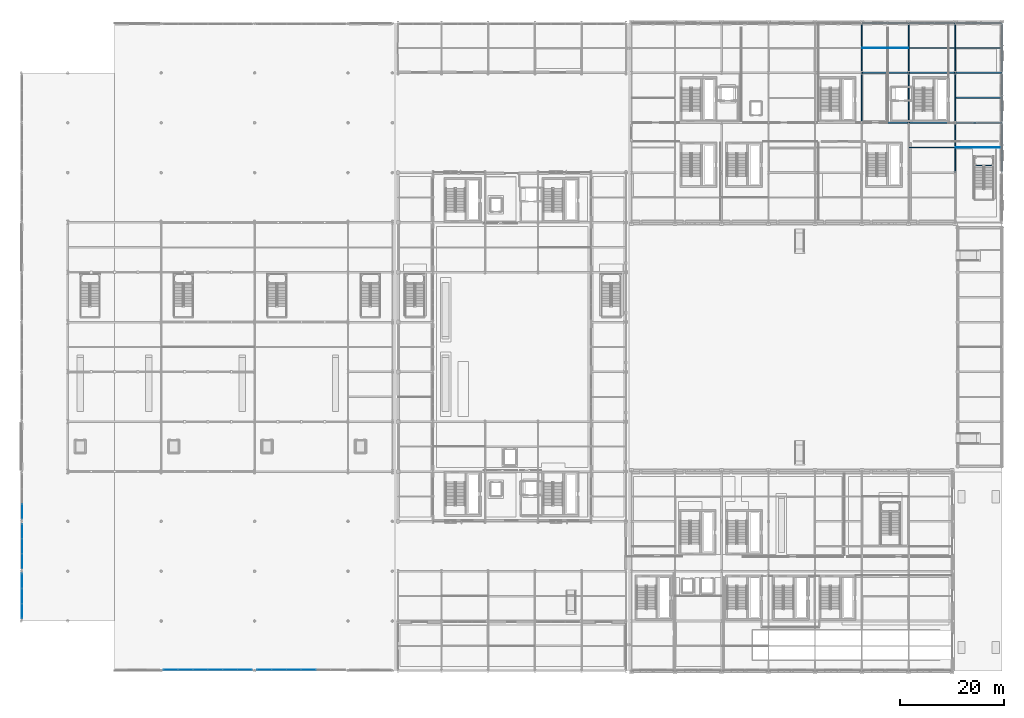
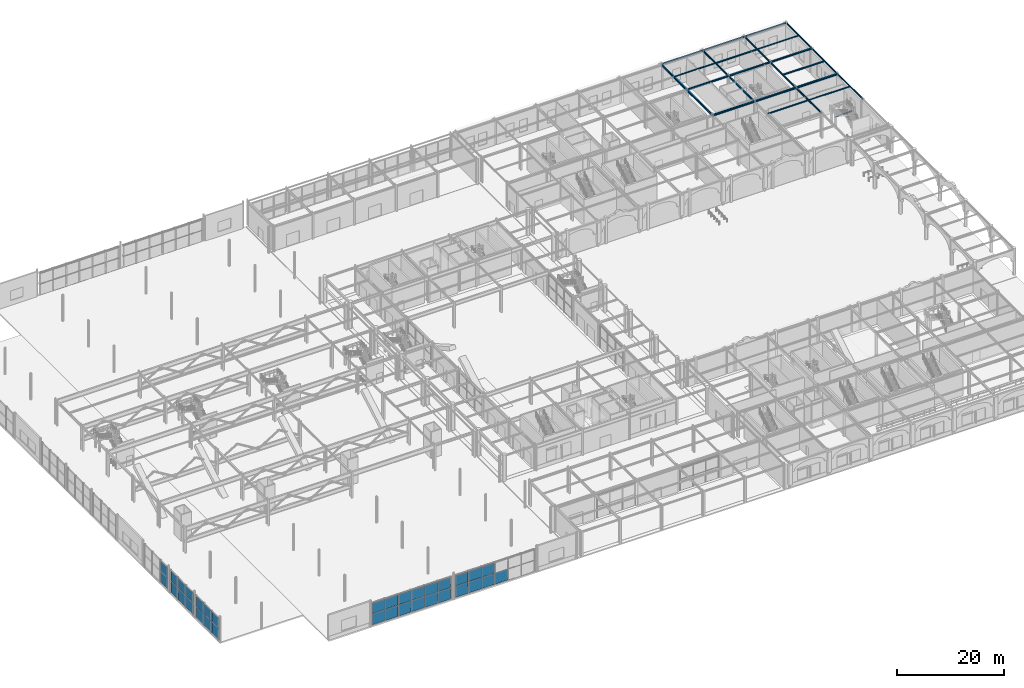
# One storey, part 47 of 113: 33 plates, 26 beams, 7 elements without a shape of their own.
"""IFC4 building model written with IfcOpenShell, lengths in metres."""

from ifc_helpers import new_model, si_unit, direction, frame, origin, origin_2d, place, context, subcontext, project, spatial, rectangle, i_section, extrude, material, layer, layer_set, material_profile, profile_set, type_object, element, aggregate, save


model = new_model("IFC4")

# Units and contexts
model_context = context("Model", 3, precision=1e-05, world=origin(), true_north=direction((0.0, 1.0)))
body_context = subcontext(model_context, "Body", "Model", "MODEL_VIEW")
ifc_project = project(units=[si_unit("LENGTHUNIT", "METRE"), si_unit("AREAUNIT", "SQUARE_METRE"), si_unit("VOLUMEUNIT", "CUBIC_METRE"), si_unit("PLANEANGLEUNIT", "RADIAN"), si_unit("MASSUNIT", "GRAM", prefix="KILO")], contexts=[model_context])

# Site, building, storey
site_placement = place(None, origin())
site = spatial("IfcSite", under=ifc_project, at=site_placement, CompositionType="ELEMENT")
building_placement = place(site_placement, origin())
building = spatial("IfcBuilding", under=site, at=building_placement, Name="Myrtia Square Station", CompositionType="ELEMENT")
storey_placement = place(building_placement, origin())
storey = spatial("IfcBuildingStorey", under=building, at=storey_placement, Name="L00", CompositionType="ELEMENT", Elevation=0.0)

# Beams
ifc_material_1 = material(Name="Steel S355", Category="steel")
ifc_material_profile_1 = material_profile(ifc_material_1, i_section(OverallWidth=0.300048828125, OverallDepth=0.300048828125, WebThickness=0.010986328125, FlangeThickness=0.01904296875, FilletRadius=0.027099609375, at=origin_2d()), Name="HEB 300")
ifc_profile_set_1 = profile_set([ifc_material_profile_1], Name="Steel S355")
beam_type_1 = type_object("IfcBeamType", Name="BM-HEB300", PredefinedType="BEAM", material=ifc_profile_set_1)
for number, where, z_axis, x_axis, name in (
    (1, (162.050048828125, 115.199951171875, 5.60009765625), (1.0, 0.0, 0.0), (0.0, 1.0, 0.0), "Structural girder BMX-L00-0416"),
    (2, (171.050048828125, 115.199951171875, 5.60009765625), (1.0, 0.0, 0.0), (0.0, 1.0, 0.0), "Structural girder BMX-L00-0417"),
    (3, (180.050048828125, 115.199951171875, 5.60009765625), (1.0, 0.0, 0.0), (0.0, 1.0, 0.0), "Structural girder BMX-L00-0418"),
):
    element("IfcBeam", number, at=place(storey_placement, frame(where, z_axis=z_axis, x_axis=x_axis)), inside=storey, type_object=beam_type_1, Name=name, PredefinedType="BEAM", context=body_context, shape_type="SweptSolid", body=[
        extrude(i_section(OverallWidth=0.300048828125, OverallDepth=0.300048828125, WebThickness=0.010986328125, FlangeThickness=0.01904296875, FilletRadius=0.027099609375, at=origin_2d()), origin(), (0.0, 0.0, 1.0), 8.89990234375),
    ])
ifc_material_profile_2 = material_profile(ifc_material_1, i_section(OverallWidth=0.300048828125, OverallDepth=0.360107421875, WebThickness=0.012451171875, FlangeThickness=0.0224609375, FilletRadius=0.027099609375, at=origin_2d()), Name="HEB 360")
ifc_profile_set_2 = profile_set([ifc_material_profile_2], Name="Steel S355")
beam_type_2 = type_object("IfcBeamType", Name="BM-HEB360", PredefinedType="BEAM", material=ifc_profile_set_2)
for number, where, z_axis, x_axis, name in (
    (4, (162.050048828125, 105.60009765625, 5.570068359375), (1.0, 0.0, 0.0), (0.0, 1.0, 0.0), "Structural girder BMX-L00-0403"),
    (5, (171.050048828125, 105.60009765625, 5.570068359375), (1.0, 0.0, 0.0), (0.0, 1.0, 0.0), "Structural girder BMX-L00-0404"),
    (6, (180.050048828125, 105.60009765625, 5.570068359375), (1.0, 0.0, 0.0), (0.0, 1.0, 0.0), "Structural girder BMX-L00-0405"),
):
    element("IfcBeam", number, at=place(storey_placement, frame(where, z_axis=z_axis, x_axis=x_axis)), inside=storey, type_object=beam_type_2, Name=name, PredefinedType="BEAM", context=body_context, shape_type="SweptSolid", body=[
        extrude(i_section(OverallWidth=0.300048828125, OverallDepth=0.360107421875, WebThickness=0.012451171875, FlangeThickness=0.0224609375, FilletRadius=0.027099609375, at=origin_2d()), origin(), (0.0, 0.0, 1.0), 8.89990234375),
    ])
ifc_material_profile_3 = material_profile(ifc_material_1, i_section(OverallWidth=0.135009765625, OverallDepth=0.27001953125, WebThickness=0.006591796875, FlangeThickness=0.01025390625, FilletRadius=0.014892578125, at=origin_2d()), Name="IPE 270")
ifc_profile_set_3 = profile_set([ifc_material_profile_3], Name="Steel S355")
beam_type_3 = type_object("IfcBeamType", Name="BM-IPE270", PredefinedType="BEAM", material=ifc_profile_set_3)
beam_1_placement = place(storey_placement, frame((183.639892578125, 97.340087890625, 2.6650390625), z_axis=(1.0, 0.0, 0.0), x_axis=(0.0, 1.0, 0.0)))
element("IfcBeam", 7, at=beam_1_placement, inside=storey, type_object=beam_type_3, Name="Interchange stair landing bearer 8", PredefinedType="BEAM", context=body_context, shape_type="SweptSolid", body=[
    extrude(i_section(OverallWidth=0.135009765625, OverallDepth=0.27001953125, WebThickness=0.006591796875, FlangeThickness=0.01025390625, FilletRadius=0.014892578125, at=origin_2d()), origin(), (0.0, 0.0, 1.0), 3.760009765625),
])
ifc_material_profile_4 = material_profile(ifc_material_1, i_section(OverallWidth=0.159912109375, OverallDepth=0.330078125, WebThickness=0.007568359375, FlangeThickness=0.011474609375, FilletRadius=0.01806640625, at=origin_2d()), Name="IPE 330")
ifc_profile_set_4 = profile_set([ifc_material_profile_4], Name="Steel S355")
beam_type_4 = type_object("IfcBeamType", Name="BM-IPE330", PredefinedType="BEAM", material=ifc_profile_set_4)
for number, where, z_axis, x_axis, name in (
    (8, (189.0, 96.050048828125, 5.5849609375), (0.0, 1.0, 0.0), (-1.0, 0.0, 0.0), "Structural girder BMY-L00-0457"),
    (9, (189.0, 105.64990234375, 5.5849609375), (0.0, 1.0, 0.0), (-1.0, 0.0, 0.0), "Structural girder BMY-L00-0458"),
    (10, (189.0, 115.25, 5.5849609375), (0.0, 1.0, 0.0), (-1.0, 0.0, 0.0), "Structural girder BMY-L00-0459"),
):
    element("IfcBeam", number, at=place(storey_placement, frame(where, z_axis=z_axis, x_axis=x_axis)), inside=storey, type_object=beam_type_4, Name=name, PredefinedType="BEAM", context=body_context, shape_type="SweptSolid", body=[
        extrude(i_section(OverallWidth=0.159912109375, OverallDepth=0.330078125, WebThickness=0.007568359375, FlangeThickness=0.011474609375, FilletRadius=0.01806640625, at=origin_2d()), origin(), (0.0, 0.0, 1.0), 9.5),
    ])
ifc_material_profile_5 = material_profile(ifc_material_1, i_section(OverallWidth=0.169921875, OverallDepth=0.360107421875, WebThickness=0.008056640625, FlangeThickness=0.0126953125, FilletRadius=0.01806640625, at=origin_2d()), Name="IPE 360")
ifc_profile_set_5 = profile_set([ifc_material_profile_5], Name="Steel S355")
beam_type_5 = type_object("IfcBeamType", Name="BM-IPE360", PredefinedType="BEAM", material=ifc_profile_set_5)
for number, where, z_axis, x_axis, name in (
    (11, (180.0, 96.050048828125, 5.570068359375), (0.0, 1.0, 0.0), (-1.0, 0.0, 0.0), "Structural girder BMY-L00-0453"),
    (12, (180.0, 105.64990234375, 5.570068359375), (0.0, 1.0, 0.0), (-1.0, 0.0, 0.0), "Structural girder BMY-L00-0454"),
    (13, (180.0, 115.25, 5.570068359375), (0.0, 1.0, 0.0), (-1.0, 0.0, 0.0), "Structural girder BMY-L00-0455"),
):
    element("IfcBeam", number, at=place(storey_placement, frame(where, z_axis=z_axis, x_axis=x_axis)), inside=storey, type_object=beam_type_5, Name=name, PredefinedType="BEAM", context=body_context, shape_type="SweptSolid", body=[
        extrude(i_section(OverallWidth=0.169921875, OverallDepth=0.360107421875, WebThickness=0.008056640625, FlangeThickness=0.0126953125, FilletRadius=0.01806640625, at=origin_2d()), origin(), (0.0, 0.0, 1.0), 9.5),
    ])
ifc_material_profile_6 = material_profile(ifc_material_1, i_section(OverallWidth=0.179931640625, OverallDepth=0.39990234375, WebThickness=0.008544921875, FlangeThickness=0.013427734375, FilletRadius=0.02099609375, at=origin_2d()), Name="IPE 400")
ifc_profile_set_6 = profile_set([ifc_material_profile_6], Name="Steel S355")
beam_type_6 = type_object("IfcBeamType", Name="BM-IPE400", PredefinedType="BEAM", material=ifc_profile_set_6)
for number, where, z_axis, x_axis, name in (
    (14, (171.0, 105.64990234375, 5.550048828125), (0.0, 1.0, 0.0), (-1.0, 0.0, 0.0), "Structural girder BMY-L00-0450"),
    (15, (171.0, 115.25, 5.550048828125), (0.0, 1.0, 0.0), (-1.0, 0.0, 0.0), "Structural girder BMY-L00-0451"),
):
    element("IfcBeam", number, at=place(storey_placement, frame(where, z_axis=z_axis, x_axis=x_axis)), inside=storey, type_object=beam_type_6, Name=name, PredefinedType="BEAM", context=body_context, shape_type="SweptSolid", body=[
        extrude(i_section(OverallWidth=0.179931640625, OverallDepth=0.39990234375, WebThickness=0.008544921875, FlangeThickness=0.013427734375, FilletRadius=0.02099609375, at=origin_2d()), origin(), (0.0, 0.0, 1.0), 9.5),
    ])
ifc_material_profile_7 = material_profile(ifc_material_1, i_section(OverallWidth=0.18994140625, OverallDepth=0.449951171875, WebThickness=0.009521484375, FlangeThickness=0.0146484375, FilletRadius=0.02099609375, at=origin_2d()), Name="IPE 450")
ifc_profile_set_7 = profile_set([ifc_material_profile_7], Name="Steel S355")
beam_type_7 = type_object("IfcBeamType", Name="BM-IPE450", PredefinedType="BEAM", material=ifc_profile_set_7)
for number, where, z_axis, x_axis, name in (
    (16, (162.0, 105.64990234375, 5.52490234375), (0.0, 1.0, 0.0), (-1.0, 0.0, 0.0), "Structural girder BMY-L00-0446"),
    (17, (162.0, 115.25, 5.52490234375), (0.0, 1.0, 0.0), (-1.0, 0.0, 0.0), "Structural girder BMY-L00-0447"),
):
    element("IfcBeam", number, at=place(storey_placement, frame(where, z_axis=z_axis, x_axis=x_axis)), inside=storey, type_object=beam_type_7, Name=name, PredefinedType="BEAM", context=body_context, shape_type="SweptSolid", body=[
        extrude(i_section(OverallWidth=0.18994140625, OverallDepth=0.449951171875, WebThickness=0.009521484375, FlangeThickness=0.0146484375, FilletRadius=0.02099609375, at=origin_2d()), origin(), (0.0, 0.0, 1.0), 9.5),
    ])
ifc_material_profile_8 = material_profile(ifc_material_1, i_section(OverallWidth=0.219970703125, OverallDepth=0.2099609375, WebThickness=0.007080078125, FlangeThickness=0.010986328125, FilletRadius=0.01806640625, at=origin_2d()), Name="HEA 220")
ifc_profile_set_8 = profile_set([ifc_material_profile_8], Name="Steel S355")
beam_type_8 = type_object("IfcBeamType", Name="JST-HEA220", PredefinedType="JOIST", material=ifc_profile_set_8)
beam_2_placement = place(storey_placement, frame((180.0849609375, 120.0, 5.64501953125), z_axis=(1.0, 0.0, 0.0), x_axis=(0.0, 1.0, 0.0)))
element("IfcBeam", 18, at=beam_2_placement, inside=storey, type_object=beam_type_8, Name="Composite floor joist L00-0091", PredefinedType="JOIST", context=body_context, shape_type="SweptSolid", body=[
    extrude(i_section(OverallWidth=0.219970703125, OverallDepth=0.2099609375, WebThickness=0.007080078125, FlangeThickness=0.010986328125, FilletRadius=0.01806640625, at=origin_2d()), origin(), (0.0, 0.0, 1.0), 8.8349609375),
])
ifc_material_profile_9 = material_profile(ifc_material_1, i_section(OverallWidth=0.260009765625, OverallDepth=0.25, WebThickness=0.007568359375, FlangeThickness=0.012451171875, FilletRadius=0.02392578125, at=origin_2d()), Name="HEA 260")
ifc_profile_set_9 = profile_set([ifc_material_profile_9], Name="Steel S355")
beam_type_9 = type_object("IfcBeamType", Name="JST-HEA260", PredefinedType="JOIST", material=ifc_profile_set_9)
beam_3_placement = place(storey_placement, frame((171.090087890625, 120.0, 5.625), z_axis=(1.0, 0.0, 0.0), x_axis=(0.0, 1.0, 0.0)))
element("IfcBeam", 19, at=beam_3_placement, inside=storey, type_object=beam_type_9, Name="Composite floor joist L00-0088", PredefinedType="JOIST", context=body_context, shape_type="SweptSolid", body=[
    extrude(i_section(OverallWidth=0.260009765625, OverallDepth=0.25, WebThickness=0.007568359375, FlangeThickness=0.012451171875, FilletRadius=0.02392578125, at=origin_2d()), origin(), (0.0, 0.0, 1.0), 8.824951171875),
])
beam_4_placement = place(storey_placement, frame((180.0849609375, 110.39990234375, 5.625), z_axis=(1.0, 0.0, 0.0), x_axis=(0.0, 1.0, 0.0)))
element("IfcBeam", 20, at=beam_4_placement, inside=storey, type_object=beam_type_9, Name="Composite floor joist L00-0090", PredefinedType="JOIST", context=body_context, shape_type="SweptSolid", body=[
    extrude(i_section(OverallWidth=0.260009765625, OverallDepth=0.25, WebThickness=0.007568359375, FlangeThickness=0.012451171875, FilletRadius=0.02392578125, at=origin_2d()), origin(), (0.0, 0.0, 1.0), 8.8349609375),
])
ifc_material_profile_10 = material_profile(ifc_material_1, i_section(OverallWidth=0.091064453125, OverallDepth=0.179931640625, WebThickness=0.00537109375, FlangeThickness=0.008056640625, FilletRadius=0.009033203125, at=origin_2d()), Name="IPE 180")
ifc_profile_set_10 = profile_set([ifc_material_profile_10], Name="Steel S355")
beam_type_10 = type_object("IfcBeamType", Name="JST-IPE180", PredefinedType="JOIST", material=ifc_profile_set_10)
beam_5_placement = place(storey_placement, frame((162.094970703125, 120.0, 5.659912109375), z_axis=(1.0, 0.0, 0.0), x_axis=(0.0, 1.0, 0.0)))
element("IfcBeam", 21, at=beam_5_placement, inside=storey, type_object=beam_type_10, Name="Composite floor joist L00-0085", PredefinedType="JOIST", context=body_context, shape_type="SweptSolid", body=[
    extrude(i_section(OverallWidth=0.091064453125, OverallDepth=0.179931640625, WebThickness=0.00537109375, FlangeThickness=0.008056640625, FilletRadius=0.009033203125, at=origin_2d()), origin(), (0.0, 0.0, 1.0), 8.81494140625),
])
beam_6_placement = place(storey_placement, frame((180.0849609375, 100.800048828125, 5.659912109375), z_axis=(1.0, 0.0, 0.0), x_axis=(0.0, 1.0, 0.0)))
element("IfcBeam", 22, at=beam_6_placement, inside=storey, type_object=beam_type_10, Name="Composite floor joist L00-0089", PredefinedType="JOIST", context=body_context, shape_type="SweptSolid", body=[
    extrude(i_section(OverallWidth=0.091064453125, OverallDepth=0.179931640625, WebThickness=0.00537109375, FlangeThickness=0.008056640625, FilletRadius=0.009033203125, at=origin_2d()), origin(), (0.0, 0.0, 1.0), 8.8349609375),
])
ifc_material_profile_11 = material_profile(ifc_material_1, i_section(OverallWidth=0.10009765625, OverallDepth=0.199951171875, WebThickness=0.005615234375, FlangeThickness=0.008544921875, FilletRadius=0.011962890625, at=origin_2d()), Name="IPE 200")
ifc_profile_set_11 = profile_set([ifc_material_profile_11], Name="Steel S355")
beam_type_11 = type_object("IfcBeamType", Name="JST-IPE200", PredefinedType="JOIST", material=ifc_profile_set_11)
beam_7_placement = place(storey_placement, frame((171.090087890625, 100.800048828125, 5.64990234375), z_axis=(1.0, 0.0, 0.0), x_axis=(0.0, 1.0, 0.0)))
element("IfcBeam", 23, at=beam_7_placement, inside=storey, type_object=beam_type_11, Name="Composite floor joist L00-0087", PredefinedType="JOIST", context=body_context, shape_type="SweptSolid", body=[
    extrude(i_section(OverallWidth=0.10009765625, OverallDepth=0.199951171875, WebThickness=0.005615234375, FlangeThickness=0.008544921875, FilletRadius=0.011962890625, at=origin_2d()), origin(), (0.0, 0.0, 1.0), 8.824951171875),
])
ifc_material_profile_12 = material_profile(ifc_material_1, i_section(OverallWidth=0.239990234375, OverallDepth=0.239990234375, WebThickness=0.010009765625, FlangeThickness=0.01708984375, FilletRadius=0.02099609375, at=origin_2d()), Name="HEB 240")
ifc_profile_set_12 = profile_set([ifc_material_profile_12], Name="Steel S355")
beam_type_12 = type_object("IfcBeamType", Name="SPN-HEB240", PredefinedType="SPANDREL", material=ifc_profile_set_12)
for number, where, z_axis, x_axis, name in (
    (24, (162.050048828125, 124.800048828125, 5.6298828125), (1.0, 0.0, 0.0), (0.0, 1.0, 0.0), "Structural girder SPN-L00-0135"),
    (25, (171.050048828125, 124.800048828125, 5.6298828125), (1.0, 0.0, 0.0), (0.0, 1.0, 0.0), "Structural girder SPN-L00-0136"),
    (26, (180.050048828125, 124.800048828125, 5.6298828125), (1.0, 0.0, 0.0), (0.0, 1.0, 0.0), "Structural girder SPN-L00-0137"),
):
    element("IfcBeam", number, at=place(storey_placement, frame(where, z_axis=z_axis, x_axis=x_axis)), inside=storey, type_object=beam_type_12, Name=name, PredefinedType="SPANDREL", context=body_context, shape_type="SweptSolid", body=[
        extrude(i_section(OverallWidth=0.239990234375, OverallDepth=0.239990234375, WebThickness=0.010009765625, FlangeThickness=0.01708984375, FilletRadius=0.02099609375, at=origin_2d()), origin(), (0.0, 0.0, 1.0), 8.89990234375),
    ])

# Curtain wall, plates
ifc_material_2 = material(Name="Dark bronze anodised aluminium", Category="aluminium")
ifc_layer_1 = layer(ifc_material_2, 0.159912109375, Name="Dark bronze anodised aluminium")
ifc_layer_set_1 = layer_set([ifc_layer_1], Name="Dark bronze anodised aluminium")
curtain_wall_type_1 = type_object("IfcCurtainWallType", Name="CW-TYPE-22-870x510", PredefinedType="USERDEFINED", material=ifc_layer_set_1)
curtain_wall_1_placement = place(storey_placement, origin())
curtain_wall_1 = element("IfcCurtainWall", 27, at=curtain_wall_1_placement, inside=storey, type_object=curtain_wall_type_1, Name="Concourse curtain wall CW-L00-074", ObjectType="CONCOURSE CURTAIN WALL", PredefinedType="USERDEFINED")
ifc_material_3 = material(Name="Tinted low-E solar control glass", Category="glass")
ifc_layer_2 = layer(ifc_material_3, 0.02392578125, Name="Tinted low-E solar control glass")
ifc_layer_set_2 = layer_set([ifc_layer_2], Name="Tinted low-E solar control glass")
plate_type_1 = type_object("IfcPlateType", Name="CWP-GLZ-24", PredefinedType="CURTAIN_PANEL", material=ifc_layer_set_2)
plate_1_placement = place(storey_placement, frame((0.199951171875, 21.11865234375, 0.074951171875), z_axis=(0.0, 0.0, 1.0), x_axis=(0.0, 1.0, 0.0)))
plate_1 = element("IfcPlate", 28, at=plate_1_placement, type_object=plate_type_1, Name="CW-074 panel 1.1", PredefinedType="CURTAIN_PANEL", context=body_context, shape_type="SweptSolid", body=[
    extrude(rectangle(XDim=2.78759765625, YDim=0.02392578125, at=origin_2d()), origin(), (0.0, 0.0, 1.0), 2.53955078125),
])
plate_2_placement = place(storey_placement, frame((0.199951171875, 21.11865234375, 2.689453125), z_axis=(0.0, 0.0, 1.0), x_axis=(0.0, 1.0, 0.0)))
plate_2 = element("IfcPlate", 29, at=plate_2_placement, type_object=plate_type_1, Name="CW-074 panel 1.2", PredefinedType="CURTAIN_PANEL", context=body_context, shape_type="SweptSolid", body=[
    extrude(rectangle(XDim=2.78759765625, YDim=0.02392578125, at=origin_2d()), origin(), (0.0, 0.0, 1.0), 2.33544921875),
])
plate_3_placement = place(storey_placement, frame((0.199951171875, 24.0, 0.074951171875), z_axis=(0.0, 0.0, 1.0), x_axis=(0.0, 1.0, 0.0)))
plate_3 = element("IfcPlate", 30, at=plate_3_placement, type_object=plate_type_1, Name="CW-074 panel 2.1", PredefinedType="CURTAIN_PANEL", context=body_context, shape_type="SweptSolid", body=[
    extrude(rectangle(XDim=2.824951171875, YDim=0.02392578125, at=origin_2d()), origin(), (0.0, 0.0, 1.0), 2.53955078125),
])
plate_4_placement = place(storey_placement, frame((0.199951171875, 24.0, 2.689453125), z_axis=(0.0, 0.0, 1.0), x_axis=(0.0, 1.0, 0.0)))
plate_4 = element("IfcPlate", 31, at=plate_4_placement, type_object=plate_type_1, Name="CW-074 panel 2.2", PredefinedType="CURTAIN_PANEL", context=body_context, shape_type="SweptSolid", body=[
    extrude(rectangle(XDim=2.824951171875, YDim=0.02392578125, at=origin_2d()), origin(), (0.0, 0.0, 1.0), 2.33544921875),
])
plate_5_placement = place(storey_placement, frame((0.199951171875, 26.88134765625, 0.074951171875), z_axis=(0.0, 0.0, 1.0), x_axis=(0.0, 1.0, 0.0)))
plate_5 = element("IfcPlate", 32, at=plate_5_placement, type_object=plate_type_1, Name="CW-074 panel 3.1", PredefinedType="CURTAIN_PANEL", context=body_context, shape_type="SweptSolid", body=[
    extrude(rectangle(XDim=2.78759765625, YDim=0.02392578125, at=origin_2d()), origin(), (0.0, 0.0, 1.0), 2.53955078125),
])
plate_6_placement = place(storey_placement, frame((0.199951171875, 26.88134765625, 2.689453125), z_axis=(0.0, 0.0, 1.0), x_axis=(0.0, 1.0, 0.0)))
plate_6 = element("IfcPlate", 33, at=plate_6_placement, type_object=plate_type_1, Name="CW-074 panel 3.2", PredefinedType="CURTAIN_PANEL", context=body_context, shape_type="SweptSolid", body=[
    extrude(rectangle(XDim=2.78759765625, YDim=0.02392578125, at=origin_2d()), origin(), (0.0, 0.0, 1.0), 2.33544921875),
])
aggregate(curtain_wall_1, [plate_1, plate_2, plate_3, plate_4, plate_5, plate_6])

ifc_layer_3 = layer(ifc_material_2, 0.159912109375, Name="Dark bronze anodised aluminium")
ifc_layer_set_3 = layer_set([ifc_layer_3], Name="Dark bronze anodised aluminium")
curtain_wall_type_2 = type_object("IfcCurtainWallType", Name="CW-TYPE-23-855x510", PredefinedType="USERDEFINED", material=ifc_layer_set_3)
curtain_wall_2_placement = place(storey_placement, origin())
curtain_wall_2 = element("IfcCurtainWall", 34, at=curtain_wall_2_placement, inside=storey, type_object=curtain_wall_type_2, Name="Concourse curtain wall CW-L00-084", ObjectType="CONCOURSE CURTAIN WALL", PredefinedType="USERDEFINED")
plate_7_placement = place(storey_placement, frame((37.43994140625, 0.199951171875, 0.06005859375), z_axis=(0.0, 0.0, 1.0), x_axis=(1.0, 0.0, 0.0)))
plate_7 = element("IfcPlate", 35, at=plate_7_placement, type_object=plate_type_1, Name="CW-084 panel 1.1", PredefinedType="CURTAIN_PANEL", context=body_context, shape_type="SweptSolid", body=[
    extrude(rectangle(XDim=2.760009765625, YDim=0.02392578125, at=origin_2d()), origin(), (0.0, 0.0, 1.0), 2.56201171875),
])
plate_8_placement = place(storey_placement, frame((37.43994140625, 0.199951171875, 2.68212890625), z_axis=(0.0, 0.0, 1.0), x_axis=(1.0, 0.0, 0.0)))
plate_8 = element("IfcPlate", 36, at=plate_8_placement, type_object=plate_type_1, Name="CW-084 panel 1.2", PredefinedType="CURTAIN_PANEL", context=body_context, shape_type="SweptSolid", body=[
    extrude(rectangle(XDim=2.760009765625, YDim=0.02392578125, at=origin_2d()), origin(), (0.0, 0.0, 1.0), 2.35791015625),
])
plate_9_placement = place(storey_placement, frame((40.27490234375, 0.199951171875, 0.06005859375), z_axis=(0.0, 0.0, 1.0), x_axis=(1.0, 0.0, 0.0)))
plate_9 = element("IfcPlate", 37, at=plate_9_placement, type_object=plate_type_1, Name="CW-084 panel 2.1", PredefinedType="CURTAIN_PANEL", context=body_context, shape_type="SweptSolid", body=[
    extrude(rectangle(XDim=2.7900390625, YDim=0.02392578125, at=origin_2d()), origin(), (0.0, 0.0, 1.0), 2.56201171875),
])
plate_10_placement = place(storey_placement, frame((40.27490234375, 0.199951171875, 2.68212890625), z_axis=(0.0, 0.0, 1.0), x_axis=(1.0, 0.0, 0.0)))
plate_10 = element("IfcPlate", 38, at=plate_10_placement, type_object=plate_type_1, Name="CW-084 panel 2.2", PredefinedType="CURTAIN_PANEL", context=body_context, shape_type="SweptSolid", body=[
    extrude(rectangle(XDim=2.7900390625, YDim=0.02392578125, at=origin_2d()), origin(), (0.0, 0.0, 1.0), 2.35791015625),
])
plate_11_placement = place(storey_placement, frame((43.110107421875, 0.199951171875, 0.06005859375), z_axis=(0.0, 0.0, 1.0), x_axis=(1.0, 0.0, 0.0)))
plate_11 = element("IfcPlate", 39, at=plate_11_placement, type_object=plate_type_1, Name="CW-084 panel 3.1", PredefinedType="CURTAIN_PANEL", context=body_context, shape_type="SweptSolid", body=[
    extrude(rectangle(XDim=2.760009765625, YDim=0.02392578125, at=origin_2d()), origin(), (0.0, 0.0, 1.0), 2.56201171875),
])
plate_12_placement = place(storey_placement, frame((43.110107421875, 0.199951171875, 2.68212890625), z_axis=(0.0, 0.0, 1.0), x_axis=(1.0, 0.0, 0.0)))
plate_12 = element("IfcPlate", 40, at=plate_12_placement, type_object=plate_type_1, Name="CW-084 panel 3.2", PredefinedType="CURTAIN_PANEL", context=body_context, shape_type="SweptSolid", body=[
    extrude(rectangle(XDim=2.760009765625, YDim=0.02392578125, at=origin_2d()), origin(), (0.0, 0.0, 1.0), 2.35791015625),
])
aggregate(curtain_wall_2, [plate_7, plate_8, plate_9, plate_10, plate_11, plate_12])

# Curtain wall, plate
curtain_wall_3_placement = place(storey_placement, origin())
curtain_wall_3 = element("IfcCurtainWall", 41, at=curtain_wall_3_placement, inside=storey, type_object=curtain_wall_type_2, Name="Concourse curtain wall CW-L00-088", ObjectType="CONCOURSE CURTAIN WALL", PredefinedType="USERDEFINED")
plate_13_placement = place(storey_placement, frame((55.43994140625, 0.199951171875, 0.06005859375), z_axis=(0.0, 0.0, 1.0), x_axis=(1.0, 0.0, 0.0)))
plate_13 = element("IfcPlate", 42, at=plate_13_placement, type_object=plate_type_1, Name="CW-088 panel 1.1", PredefinedType="CURTAIN_PANEL", context=body_context, shape_type="SweptSolid", body=[
    extrude(rectangle(XDim=2.760009765625, YDim=0.02392578125, at=origin_2d()), origin(), (0.0, 0.0, 1.0), 2.56201171875),
])
aggregate(curtain_wall_3, [plate_13])

# Curtain wall, plates
curtain_wall_4_placement = place(storey_placement, origin())
curtain_wall_4 = element("IfcCurtainWall", 43, at=curtain_wall_4_placement, inside=storey, type_object=curtain_wall_type_1, Name="Concourse curtain wall CW-L00-075", ObjectType="CONCOURSE CURTAIN WALL", PredefinedType="USERDEFINED")
ifc_layer_4 = layer(ifc_material_3, 0.028076171875, Name="Tinted low-E solar control glass")
ifc_layer_set_4 = layer_set([ifc_layer_4], Name="Tinted low-E solar control glass")
plate_type_2 = type_object("IfcPlateType", Name="CWP-GLZ-28", PredefinedType="CURTAIN_PANEL", material=ifc_layer_set_4)
plate_14_placement = place(storey_placement, frame((0.199951171875, 30.71875, 0.074951171875), z_axis=(0.0, 0.0, 1.0), x_axis=(0.0, 1.0, 0.0)))
plate_14 = element("IfcPlate", 44, at=plate_14_placement, type_object=plate_type_2, Name="CW-075 panel 1.1", PredefinedType="CURTAIN_PANEL", context=body_context, shape_type="SweptSolid", body=[
    extrude(rectangle(XDim=2.78759765625, YDim=0.028076171875, at=origin_2d()), origin(), (0.0, 0.0, 1.0), 2.53955078125),
])
plate_15_placement = place(storey_placement, frame((0.199951171875, 30.71875, 2.689453125), z_axis=(0.0, 0.0, 1.0), x_axis=(0.0, 1.0, 0.0)))
plate_15 = element("IfcPlate", 45, at=plate_15_placement, type_object=plate_type_2, Name="CW-075 panel 1.2", PredefinedType="CURTAIN_PANEL", context=body_context, shape_type="SweptSolid", body=[
    extrude(rectangle(XDim=2.78759765625, YDim=0.028076171875, at=origin_2d()), origin(), (0.0, 0.0, 1.0), 2.33544921875),
])
aggregate(curtain_wall_4, [plate_14, plate_15])

curtain_wall_5_placement = place(storey_placement, origin())
curtain_wall_5 = element("IfcCurtainWall", 46, at=curtain_wall_5_placement, inside=storey, type_object=curtain_wall_type_2, Name="Concourse curtain wall CW-L00-082", ObjectType="CONCOURSE CURTAIN WALL", PredefinedType="USERDEFINED")
ifc_layer_5 = layer(ifc_material_3, 0.031982421875, Name="Tinted low-E solar control glass")
ifc_layer_set_5 = layer_set([ifc_layer_5], Name="Tinted low-E solar control glass")
plate_type_3 = type_object("IfcPlateType", Name="CWP-GLZ-32", PredefinedType="CURTAIN_PANEL", material=ifc_layer_set_5)
plate_16_placement = place(storey_placement, frame((28.889892578125, 0.199951171875, 0.06005859375), z_axis=(0.0, 0.0, 1.0), x_axis=(1.0, 0.0, 0.0)))
plate_16 = element("IfcPlate", 47, at=plate_16_placement, type_object=plate_type_3, Name="CW-082 panel 1.1", PredefinedType="CURTAIN_PANEL", context=body_context, shape_type="SweptSolid", body=[
    extrude(rectangle(XDim=2.760009765625, YDim=0.031982421875, at=origin_2d()), origin(), (0.0, 0.0, 1.0), 2.56201171875),
])
plate_17_placement = place(storey_placement, frame((28.889892578125, 0.199951171875, 2.68212890625), z_axis=(0.0, 0.0, 1.0), x_axis=(1.0, 0.0, 0.0)))
plate_17 = element("IfcPlate", 48, at=plate_17_placement, type_object=plate_type_3, Name="CW-082 panel 1.2", PredefinedType="CURTAIN_PANEL", context=body_context, shape_type="SweptSolid", body=[
    extrude(rectangle(XDim=2.760009765625, YDim=0.031982421875, at=origin_2d()), origin(), (0.0, 0.0, 1.0), 2.35791015625),
])
plate_18_placement = place(storey_placement, frame((31.72509765625, 0.199951171875, 0.06005859375), z_axis=(0.0, 0.0, 1.0), x_axis=(1.0, 0.0, 0.0)))
plate_18 = element("IfcPlate", 49, at=plate_18_placement, type_object=plate_type_3, Name="CW-082 panel 2.1", PredefinedType="CURTAIN_PANEL", context=body_context, shape_type="SweptSolid", body=[
    extrude(rectangle(XDim=2.7900390625, YDim=0.031982421875, at=origin_2d()), origin(), (0.0, 0.0, 1.0), 2.56201171875),
])
plate_19_placement = place(storey_placement, frame((31.72509765625, 0.199951171875, 2.68212890625), z_axis=(0.0, 0.0, 1.0), x_axis=(1.0, 0.0, 0.0)))
plate_19 = element("IfcPlate", 50, at=plate_19_placement, type_object=plate_type_3, Name="CW-082 panel 2.2", PredefinedType="CURTAIN_PANEL", context=body_context, shape_type="SweptSolid", body=[
    extrude(rectangle(XDim=2.7900390625, YDim=0.031982421875, at=origin_2d()), origin(), (0.0, 0.0, 1.0), 2.35791015625),
])
plate_20_placement = place(storey_placement, frame((34.56005859375, 0.199951171875, 0.06005859375), z_axis=(0.0, 0.0, 1.0), x_axis=(1.0, 0.0, 0.0)))
plate_20 = element("IfcPlate", 51, at=plate_20_placement, type_object=plate_type_3, Name="CW-082 panel 3.1", PredefinedType="CURTAIN_PANEL", context=body_context, shape_type="SweptSolid", body=[
    extrude(rectangle(XDim=2.760009765625, YDim=0.031982421875, at=origin_2d()), origin(), (0.0, 0.0, 1.0), 2.56201171875),
])
plate_21_placement = place(storey_placement, frame((34.56005859375, 0.199951171875, 2.68212890625), z_axis=(0.0, 0.0, 1.0), x_axis=(1.0, 0.0, 0.0)))
plate_21 = element("IfcPlate", 52, at=plate_21_placement, type_object=plate_type_3, Name="CW-082 panel 3.2", PredefinedType="CURTAIN_PANEL", context=body_context, shape_type="SweptSolid", body=[
    extrude(rectangle(XDim=2.760009765625, YDim=0.031982421875, at=origin_2d()), origin(), (0.0, 0.0, 1.0), 2.35791015625),
])
aggregate(curtain_wall_5, [plate_16, plate_17, plate_18, plate_19, plate_20, plate_21])

curtain_wall_6_placement = place(storey_placement, origin())
curtain_wall_6 = element("IfcCurtainWall", 53, at=curtain_wall_6_placement, inside=storey, type_object=curtain_wall_type_2, Name="Concourse curtain wall CW-L00-086", ObjectType="CONCOURSE CURTAIN WALL", PredefinedType="USERDEFINED")
plate_22_placement = place(storey_placement, frame((46.889892578125, 0.199951171875, 0.06005859375), z_axis=(0.0, 0.0, 1.0), x_axis=(1.0, 0.0, 0.0)))
plate_22 = element("IfcPlate", 54, at=plate_22_placement, type_object=plate_type_3, Name="CW-086 panel 1.1", PredefinedType="CURTAIN_PANEL", context=body_context, shape_type="SweptSolid", body=[
    extrude(rectangle(XDim=2.760009765625, YDim=0.031982421875, at=origin_2d()), origin(), (0.0, 0.0, 1.0), 2.56201171875),
])
plate_23_placement = place(storey_placement, frame((46.889892578125, 0.199951171875, 2.68212890625), z_axis=(0.0, 0.0, 1.0), x_axis=(1.0, 0.0, 0.0)))
plate_23 = element("IfcPlate", 55, at=plate_23_placement, type_object=plate_type_3, Name="CW-086 panel 1.2", PredefinedType="CURTAIN_PANEL", context=body_context, shape_type="SweptSolid", body=[
    extrude(rectangle(XDim=2.760009765625, YDim=0.031982421875, at=origin_2d()), origin(), (0.0, 0.0, 1.0), 2.35791015625),
])
plate_24_placement = place(storey_placement, frame((49.72509765625, 0.199951171875, 0.06005859375), z_axis=(0.0, 0.0, 1.0), x_axis=(1.0, 0.0, 0.0)))
plate_24 = element("IfcPlate", 56, at=plate_24_placement, type_object=plate_type_3, Name="CW-086 panel 2.1", PredefinedType="CURTAIN_PANEL", context=body_context, shape_type="SweptSolid", body=[
    extrude(rectangle(XDim=2.7900390625, YDim=0.031982421875, at=origin_2d()), origin(), (0.0, 0.0, 1.0), 2.56201171875),
])
plate_25_placement = place(storey_placement, frame((49.72509765625, 0.199951171875, 2.68212890625), z_axis=(0.0, 0.0, 1.0), x_axis=(1.0, 0.0, 0.0)))
plate_25 = element("IfcPlate", 57, at=plate_25_placement, type_object=plate_type_3, Name="CW-086 panel 2.2", PredefinedType="CURTAIN_PANEL", context=body_context, shape_type="SweptSolid", body=[
    extrude(rectangle(XDim=2.7900390625, YDim=0.031982421875, at=origin_2d()), origin(), (0.0, 0.0, 1.0), 2.35791015625),
])
plate_26_placement = place(storey_placement, frame((52.56005859375, 0.199951171875, 0.06005859375), z_axis=(0.0, 0.0, 1.0), x_axis=(1.0, 0.0, 0.0)))
plate_26 = element("IfcPlate", 58, at=plate_26_placement, type_object=plate_type_3, Name="CW-086 panel 3.1", PredefinedType="CURTAIN_PANEL", context=body_context, shape_type="SweptSolid", body=[
    extrude(rectangle(XDim=2.760009765625, YDim=0.031982421875, at=origin_2d()), origin(), (0.0, 0.0, 1.0), 2.56201171875),
])
plate_27_placement = place(storey_placement, frame((52.56005859375, 0.199951171875, 2.68212890625), z_axis=(0.0, 0.0, 1.0), x_axis=(1.0, 0.0, 0.0)))
plate_27 = element("IfcPlate", 59, at=plate_27_placement, type_object=plate_type_3, Name="CW-086 panel 3.2", PredefinedType="CURTAIN_PANEL", context=body_context, shape_type="SweptSolid", body=[
    extrude(rectangle(XDim=2.760009765625, YDim=0.031982421875, at=origin_2d()), origin(), (0.0, 0.0, 1.0), 2.35791015625),
])
aggregate(curtain_wall_6, [plate_22, plate_23, plate_24, plate_25, plate_26, plate_27])

curtain_wall_7_placement = place(storey_placement, origin())
curtain_wall_7 = element("IfcCurtainWall", 60, at=curtain_wall_7_placement, inside=storey, type_object=curtain_wall_type_1, Name="Concourse curtain wall CW-L00-073", ObjectType="CONCOURSE CURTAIN WALL", PredefinedType="USERDEFINED")
ifc_layer_6 = layer(ifc_material_3, 0.035888671875, Name="Tinted low-E solar control glass")
ifc_layer_set_6 = layer_set([ifc_layer_6], Name="Tinted low-E solar control glass")
plate_type_4 = type_object("IfcPlateType", Name="CWP-GLZ-36", PredefinedType="CURTAIN_PANEL", material=ifc_layer_set_6)
plate_28_placement = place(storey_placement, frame((0.199951171875, 11.518798828125, 0.074951171875), z_axis=(0.0, 0.0, 1.0), x_axis=(0.0, 1.0, 0.0)))
plate_28 = element("IfcPlate", 61, at=plate_28_placement, type_object=plate_type_4, Name="CW-073 panel 1.1", PredefinedType="CURTAIN_PANEL", context=body_context, shape_type="SweptSolid", body=[
    extrude(rectangle(XDim=2.78759765625, YDim=0.035888671875, at=origin_2d()), origin(), (0.0, 0.0, 1.0), 2.53955078125),
])
plate_29_placement = place(storey_placement, frame((0.199951171875, 11.518798828125, 2.689453125), z_axis=(0.0, 0.0, 1.0), x_axis=(0.0, 1.0, 0.0)))
plate_29 = element("IfcPlate", 62, at=plate_29_placement, type_object=plate_type_4, Name="CW-073 panel 1.2", PredefinedType="CURTAIN_PANEL", context=body_context, shape_type="SweptSolid", body=[
    extrude(rectangle(XDim=2.78759765625, YDim=0.035888671875, at=origin_2d()), origin(), (0.0, 0.0, 1.0), 2.33544921875),
])
plate_30_placement = place(storey_placement, frame((0.199951171875, 14.39990234375, 0.074951171875), z_axis=(0.0, 0.0, 1.0), x_axis=(0.0, 1.0, 0.0)))
plate_30 = element("IfcPlate", 63, at=plate_30_placement, type_object=plate_type_4, Name="CW-073 panel 2.1", PredefinedType="CURTAIN_PANEL", context=body_context, shape_type="SweptSolid", body=[
    extrude(rectangle(XDim=2.824951171875, YDim=0.035888671875, at=origin_2d()), origin(), (0.0, 0.0, 1.0), 2.53955078125),
])
plate_31_placement = place(storey_placement, frame((0.199951171875, 14.39990234375, 2.689453125), z_axis=(0.0, 0.0, 1.0), x_axis=(0.0, 1.0, 0.0)))
plate_31 = element("IfcPlate", 64, at=plate_31_placement, type_object=plate_type_4, Name="CW-073 panel 2.2", PredefinedType="CURTAIN_PANEL", context=body_context, shape_type="SweptSolid", body=[
    extrude(rectangle(XDim=2.824951171875, YDim=0.035888671875, at=origin_2d()), origin(), (0.0, 0.0, 1.0), 2.33544921875),
])
plate_32_placement = place(storey_placement, frame((0.199951171875, 17.28125, 0.074951171875), z_axis=(0.0, 0.0, 1.0), x_axis=(0.0, 1.0, 0.0)))
plate_32 = element("IfcPlate", 65, at=plate_32_placement, type_object=plate_type_4, Name="CW-073 panel 3.1", PredefinedType="CURTAIN_PANEL", context=body_context, shape_type="SweptSolid", body=[
    extrude(rectangle(XDim=2.78759765625, YDim=0.035888671875, at=origin_2d()), origin(), (0.0, 0.0, 1.0), 2.53955078125),
])
plate_33_placement = place(storey_placement, frame((0.199951171875, 17.28125, 2.689453125), z_axis=(0.0, 0.0, 1.0), x_axis=(0.0, 1.0, 0.0)))
plate_33 = element("IfcPlate", 66, at=plate_33_placement, type_object=plate_type_4, Name="CW-073 panel 3.2", PredefinedType="CURTAIN_PANEL", context=body_context, shape_type="SweptSolid", body=[
    extrude(rectangle(XDim=2.78759765625, YDim=0.035888671875, at=origin_2d()), origin(), (0.0, 0.0, 1.0), 2.33544921875),
])
aggregate(curtain_wall_7, [plate_28, plate_29, plate_30, plate_31, plate_32, plate_33])

save(model, "model.ifc")
